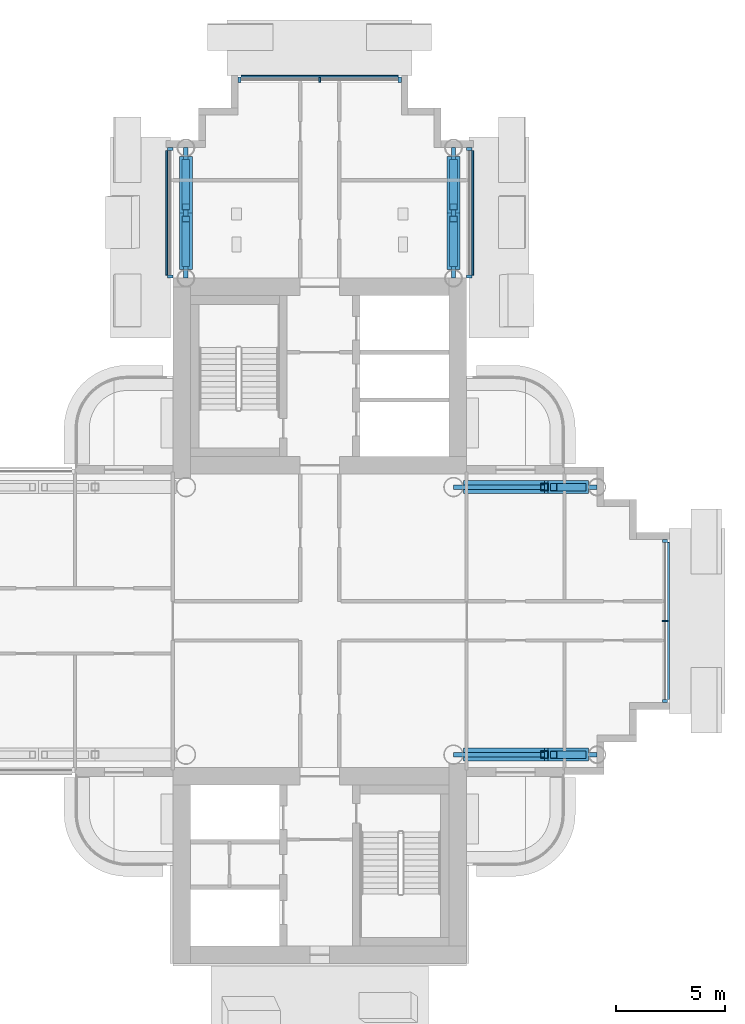
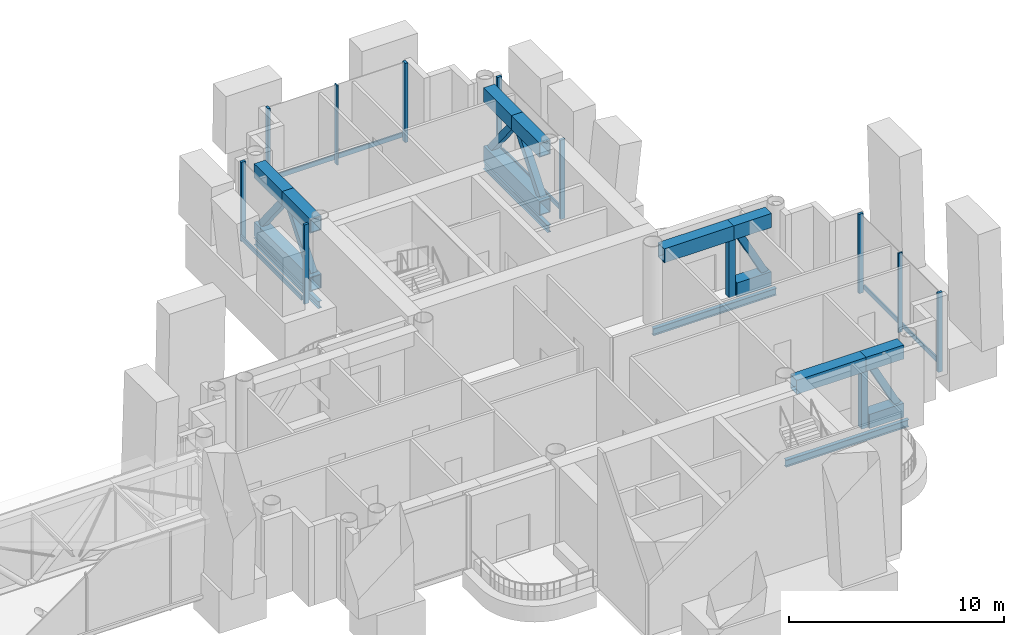
# One storey, part 8 of 26: 34 members, 4 beams, 4 elements without a shape of their own.
"""IFC4 building model written with IfcOpenShell, lengths in metres."""

from ifc_helpers import new_model, si_unit, direction, frame, origin, origin_2d, place, context, subcontext, project, spatial, rectangle, hollow_rectangle, i_section, extrude, material, layer, layer_set, material_profile, profile_set, type_object, element, aggregate, save


model = new_model("IFC4")

# Units and contexts
model_context = context("Model", 3, precision=1e-05, world=origin(), true_north=direction((0.0, 1.0)))
body_context = subcontext(model_context, "Body", "Model", "MODEL_VIEW")
ifc_project = project(units=[si_unit("LENGTHUNIT", "METRE"), si_unit("AREAUNIT", "SQUARE_METRE"), si_unit("VOLUMEUNIT", "CUBIC_METRE"), si_unit("PLANEANGLEUNIT", "RADIAN"), si_unit("MASSUNIT", "GRAM", prefix="KILO")], contexts=[model_context])

# Site, building, storey
site_placement = place(None, origin())
site = spatial("IfcSite", under=ifc_project, at=site_placement, CompositionType="ELEMENT")
building_placement = place(site_placement, origin())
building = spatial("IfcBuilding", under=site, at=building_placement, Name="Ipe Terrace Towers", CompositionType="ELEMENT")
storey_placement = place(building_placement, frame((0.0, 0.0, 181.300048828125)))
storey = spatial("IfcBuildingStorey", under=building, at=storey_placement, Name="L50", CompositionType="ELEMENT", Elevation=181.300048828125)

# Beams
ifc_material_1 = material(Name="Steel S355", Category="steel")
ifc_material_profile_1 = material_profile(ifc_material_1, i_section(OverallWidth=0.199951171875, OverallDepth=0.39990234375, WebThickness=0.008056640625, FlangeThickness=0.012939453125, at=origin_2d()), Name="H-400x200x8x13")
ifc_profile_set_1 = profile_set([ifc_material_profile_1], Name="Steel S355")
beam_type = type_object("IfcBeamType", Name="H06 EDGE BEAM H-400x200x8x13", PredefinedType="BEAM", material=ifc_profile_set_1)
for number, where, z_axis, x_axis, name in (
    (1, (42.14990234375, 15.75, -0.60009765625), (0.0, 1.0, 0.0), (-1.0, 0.0, 0.0), "Edge beam T2-EB-A01-A03"),
    (2, (29.85009765625, 15.75, -0.60009765625), (0.0, 1.0, 0.0), (-1.0, 0.0, 0.0), "Edge beam T2-EB-A02-A04"),
):
    element("IfcBeam", number, at=place(storey_placement, frame(where, z_axis=z_axis, x_axis=x_axis)), inside=storey, type_object=beam_type, Name=name, PredefinedType="BEAM", context=body_context, shape_type="SweptSolid", body=[
        extrude(i_section(OverallWidth=0.199951171875, OverallDepth=0.39990234375, WebThickness=0.008056640625, FlangeThickness=0.012939453125, at=origin_2d()), origin(), (0.0, 0.0, 1.0), 6.0),
    ])
for number, where, z_axis, x_axis, name in (
    (3, (48.75, -6.14990234375, -0.60009765625), (-1.0, 0.0, 0.0), (0.0, -1.0, 0.0), "Edge beam T2-EB-D01-E01"),
    (4, (48.75, 6.14990234375, -0.60009765625), (-1.0, 0.0, 0.0), (0.0, -1.0, 0.0), "Edge beam T2-EB-D02-E02"),
):
    element("IfcBeam", number, at=place(storey_placement, frame(where, z_axis=z_axis, x_axis=x_axis)), inside=storey, type_object=beam_type, Name=name, PredefinedType="BEAM", context=body_context, shape_type="SweptSolid", body=[
        extrude(i_section(OverallWidth=0.199951171875, OverallDepth=0.39990234375, WebThickness=0.008056640625, FlangeThickness=0.012939453125, at=origin_2d()), origin(), (0.0, 0.0, 1.0), 6.60009765625),
    ])

# Members
ifc_material_2 = material(Name="Steel S355", Category="steel")
ifc_material_profile_2 = material_profile(ifc_material_2, hollow_rectangle(XDim=0.35009765625, YDim=0.35009765625, WallThickness=0.02001953125, at=origin_2d()), Name="OUTRIGGER-BRACE BOX 350x350x20")
ifc_profile_set_2 = profile_set([ifc_material_profile_2], Name="Steel S355")
member_type_1 = type_object("IfcMemberType", Name="OUTRIGGER-BRACE BOX 350x350x20", PredefinedType="BRACE", material=ifc_profile_set_2)
for number, where, z_axis, x_axis, name in (
    (5, (29.85009765625, 16.431884765625, 0.780029296875), (0.0, 0.62546299245, 0.780253833746), (-1.0, 0.0, 0.0), "T2-OR-L50-256 diagonal"),
    (6, (29.85009765625, 21.068115234375, 0.780029296875), (0.0, -0.62546299245, 0.780253833746), (1.0, 0.0, 0.0), "T2-OR-L50-257 diagonal"),
    (7, (42.14990234375, 16.431884765625, 0.780029296875), (0.0, 0.62546299245, 0.780253833746), (-1.0, 0.0, 0.0), "T2-OR-L50-261 diagonal"),
    (8, (42.14990234375, 21.068115234375, 0.780029296875), (0.0, -0.62546299245, 0.780253833746), (1.0, 0.0, 0.0), "T2-OR-L50-262 diagonal"),
):
    element("IfcMember", number, at=place(storey_placement, frame(where, z_axis=z_axis, x_axis=x_axis)), inside=storey, type_object=member_type_1, Name=name, PredefinedType="BRACE", context=body_context, shape_type="SweptSolid", body=[
        extrude(hollow_rectangle(XDim=0.35009765625, YDim=0.35009765625, WallThickness=0.02001953125, at=origin_2d()), origin(), (0.0, 0.0, 1.0), 3.25537109375),
    ])
for number, where, z_axis, x_axis, name in (
    (9, (48.094970703125, 6.14990234375, 0.780029296875), (-0.466625633815, 0.0, 0.884454926984), (0.0, -1.0, 0.0), "T2-OR-L50-280 diagonal"),
    (10, (48.094970703125, -6.14990234375, 0.780029296875), (-0.466625633815, 0.0, 0.884454926984), (0.0, -1.0, 0.0), "T2-OR-L50-285 diagonal"),
):
    element("IfcMember", number, at=place(storey_placement, frame(where, z_axis=z_axis, x_axis=x_axis)), inside=storey, type_object=member_type_1, Name=name, PredefinedType="BRACE", context=body_context, shape_type="SweptSolid", body=[
        extrude(hollow_rectangle(XDim=0.35009765625, YDim=0.35009765625, WallThickness=0.02001953125, at=origin_2d()), origin(), (0.0, 0.0, 1.0), 2.871826171875),
    ])
ifc_material_3 = material(Name="Steel S355", Category="steel")
ifc_material_profile_3 = material_profile(ifc_material_3, hollow_rectangle(XDim=0.60009765625, YDim=0.800048828125, WallThickness=0.0400390625, at=origin_2d()), Name="OUTRIGGER-CHORD BOX 600x800x40")
ifc_profile_set_3 = profile_set([ifc_material_profile_3], Name="Steel S355")
member_type_2 = type_object("IfcMemberType", Name="OUTRIGGER-CHORD BOX 600x800x40", PredefinedType="CHORD", material=ifc_profile_set_3)
member_1_placement = place(storey_placement, frame((29.85009765625, 16.14990234375, 0.39990234375), z_axis=(0.0, 1.0, 0.0), x_axis=(-1.0, 0.0, 0.0)))
element("IfcMember", 11, at=member_1_placement, inside=storey, type_object=member_type_2, Name="T2-OR-L50-255 bottom chord", PredefinedType="CHORD", context=body_context, shape_type="SweptSolid", body=[
    extrude(hollow_rectangle(XDim=0.60009765625, YDim=0.800048828125, WallThickness=0.0400390625, at=origin_2d()), origin(), (0.0, 0.0, 1.0), 5.2001953125),
])
for number, where, z_axis, x_axis, name in (
    (12, (29.85009765625, 16.14990234375, 3.699951171875), (0.0, 1.0, 0.0), (-1.0, 0.0, 0.0), "T2-OR-L50-258 top chord"),
    (13, (29.85009765625, 18.75, 3.699951171875), (0.0, 1.0, 0.0), (-1.0, 0.0, 0.0), "T2-OR-L50-259 top chord"),
):
    element("IfcMember", number, at=place(storey_placement, frame(where, z_axis=z_axis, x_axis=x_axis)), inside=storey, type_object=member_type_2, Name=name, PredefinedType="CHORD", context=body_context, shape_type="SweptSolid", body=[
        extrude(hollow_rectangle(XDim=0.60009765625, YDim=0.800048828125, WallThickness=0.0400390625, at=origin_2d()), origin(), (0.0, 0.0, 1.0), 2.60009765625),
    ])
member_2_placement = place(storey_placement, frame((42.14990234375, 16.14990234375, 0.39990234375), z_axis=(0.0, 1.0, 0.0), x_axis=(-1.0, 0.0, 0.0)))
element("IfcMember", 14, at=member_2_placement, inside=storey, type_object=member_type_2, Name="T2-OR-L50-260 bottom chord", PredefinedType="CHORD", context=body_context, shape_type="SweptSolid", body=[
    extrude(hollow_rectangle(XDim=0.60009765625, YDim=0.800048828125, WallThickness=0.0400390625, at=origin_2d()), origin(), (0.0, 0.0, 1.0), 5.2001953125),
])
for number, where, z_axis, x_axis, name in (
    (15, (42.14990234375, 16.14990234375, 3.699951171875), (0.0, 1.0, 0.0), (-1.0, 0.0, 0.0), "T2-OR-L50-263 top chord"),
    (16, (42.14990234375, 18.75, 3.699951171875), (0.0, 1.0, 0.0), (-1.0, 0.0, 0.0), "T2-OR-L50-264 top chord"),
):
    element("IfcMember", number, at=place(storey_placement, frame(where, z_axis=z_axis, x_axis=x_axis)), inside=storey, type_object=member_type_2, Name=name, PredefinedType="CHORD", context=body_context, shape_type="SweptSolid", body=[
        extrude(hollow_rectangle(XDim=0.60009765625, YDim=0.800048828125, WallThickness=0.0400390625, at=origin_2d()), origin(), (0.0, 0.0, 1.0), 2.60009765625),
    ])
member_3_placement = place(storey_placement, frame((46.5, 6.14990234375, 0.39990234375), z_axis=(1.0, 0.0, 0.0), x_axis=(0.0, 1.0, 0.0)))
element("IfcMember", 17, at=member_3_placement, inside=storey, type_object=member_type_2, Name="T2-OR-L50-279 bottom chord", PredefinedType="CHORD", context=body_context, shape_type="SweptSolid", body=[
    extrude(hollow_rectangle(XDim=0.60009765625, YDim=0.800048828125, WallThickness=0.0400390625, at=origin_2d()), origin(), (0.0, 0.0, 1.0), 1.85009765625),
])
member_4_placement = place(storey_placement, frame((42.60009765625, 6.14990234375, 3.699951171875), z_axis=(1.0, 0.0, 0.0), x_axis=(0.0, 1.0, 0.0)))
element("IfcMember", 18, at=member_4_placement, inside=storey, type_object=member_type_2, Name="T2-OR-L50-282 top chord", PredefinedType="CHORD", context=body_context, shape_type="SweptSolid", body=[
    extrude(hollow_rectangle(XDim=0.60009765625, YDim=0.800048828125, WallThickness=0.0400390625, at=origin_2d()), origin(), (0.0, 0.0, 1.0), 3.724853515625),
])
member_5_placement = place(storey_placement, frame((46.324951171875, 6.14990234375, 3.699951171875), z_axis=(1.0, 0.0, 0.0), x_axis=(0.0, 1.0, 0.0)))
element("IfcMember", 19, at=member_5_placement, inside=storey, type_object=member_type_2, Name="T2-OR-L50-283 top chord", PredefinedType="CHORD", context=body_context, shape_type="SweptSolid", body=[
    extrude(hollow_rectangle(XDim=0.60009765625, YDim=0.800048828125, WallThickness=0.0400390625, at=origin_2d()), origin(), (0.0, 0.0, 1.0), 2.025146484375),
])
member_6_placement = place(storey_placement, frame((46.5, -6.14990234375, 0.39990234375), z_axis=(1.0, 0.0, 0.0), x_axis=(0.0, 1.0, 0.0)))
element("IfcMember", 20, at=member_6_placement, inside=storey, type_object=member_type_2, Name="T2-OR-L50-284 bottom chord", PredefinedType="CHORD", context=body_context, shape_type="SweptSolid", body=[
    extrude(hollow_rectangle(XDim=0.60009765625, YDim=0.800048828125, WallThickness=0.0400390625, at=origin_2d()), origin(), (0.0, 0.0, 1.0), 1.85009765625),
])
member_7_placement = place(storey_placement, frame((42.60009765625, -6.14990234375, 3.699951171875), z_axis=(1.0, 0.0, 0.0), x_axis=(0.0, 1.0, 0.0)))
element("IfcMember", 21, at=member_7_placement, inside=storey, type_object=member_type_2, Name="T2-OR-L50-287 top chord", PredefinedType="CHORD", context=body_context, shape_type="SweptSolid", body=[
    extrude(hollow_rectangle(XDim=0.60009765625, YDim=0.800048828125, WallThickness=0.0400390625, at=origin_2d()), origin(), (0.0, 0.0, 1.0), 3.724853515625),
])
member_8_placement = place(storey_placement, frame((46.324951171875, -6.14990234375, 3.699951171875), z_axis=(1.0, 0.0, 0.0), x_axis=(0.0, 1.0, 0.0)))
element("IfcMember", 22, at=member_8_placement, inside=storey, type_object=member_type_2, Name="T2-OR-L50-288 top chord", PredefinedType="CHORD", context=body_context, shape_type="SweptSolid", body=[
    extrude(hollow_rectangle(XDim=0.60009765625, YDim=0.800048828125, WallThickness=0.0400390625, at=origin_2d()), origin(), (0.0, 0.0, 1.0), 2.025146484375),
])
ifc_material_4 = material(Name="Steel S355", Category="steel")
ifc_material_profile_4 = material_profile(ifc_material_4, hollow_rectangle(XDim=0.35009765625, YDim=0.35009765625, WallThickness=0.02001953125, at=origin_2d()), Name="OUTRIGGER-POST BOX 350x350x20")
ifc_profile_set_4 = profile_set([ifc_material_profile_4], Name="Steel S355")
member_type_3 = type_object("IfcMemberType", Name="OUTRIGGER-POST BOX 350x350x20", PredefinedType="POST", material=ifc_profile_set_4)
for number, where, z_axis, x_axis, name in (
    (23, (46.324951171875, 6.14990234375, 0.0), (0.0, 0.0, 1.0), (1.0, 0.0, 0.0), "T2-OR-L50-281 post"),
    (24, (46.324951171875, -6.14990234375, 0.0), (0.0, 0.0, 1.0), (1.0, 0.0, 0.0), "T2-OR-L50-286 post"),
):
    element("IfcMember", number, at=place(storey_placement, frame(where, z_axis=z_axis, x_axis=x_axis)), inside=storey, type_object=member_type_3, Name=name, PredefinedType="POST", context=body_context, shape_type="SweptSolid", body=[
        extrude(hollow_rectangle(XDim=0.35009765625, YDim=0.35009765625, WallThickness=0.02001953125, at=origin_2d()), origin(), (0.0, 0.0, 1.0), 3.300048828125),
    ])

# Curtain wall, members
ifc_material_5 = material(Name="Aluminium alloy 6063-T6", Category="aluminium")
ifc_layer = layer(ifc_material_5, 0.320068359375)
ifc_layer_set = layer_set([ifc_layer], Name="REFUGE FLOOR CURTAIN WALL")
curtain_wall_type = type_object("IfcCurtainWallType", Name="REFUGE FLOOR CURTAIN WALL", PredefinedType="NOTDEFINED", material=ifc_layer_set)
curtain_wall_1_placement = place(storey_placement, origin())
curtain_wall_1 = element("IfcCurtainWall", 25, at=curtain_wall_1_placement, inside=storey, type_object=curtain_wall_type, Name="T2-CW-L50-08a curtain wall", PredefinedType="NOTDEFINED")
ifc_material_6 = material(Name="Aluminium alloy 6063-T6", Category="aluminium")
ifc_material_profile_5 = material_profile(ifc_material_6, rectangle(XDim=0.239990234375, YDim=0.139892578125, at=origin_2d()), Name="REFUGE FLOOR CORNER MULLION 240 x 140")
ifc_profile_set_5 = profile_set([ifc_material_profile_5], Name="Aluminium alloy 6063-T6")
member_type_4 = type_object("IfcMemberType", Name="REFUGE FLOOR CORNER MULLION 240 x 140", PredefinedType="MULLION", material=ifc_profile_set_5)
member_9_placement = place(storey_placement, frame((51.8701171875, -3.679931640625, -0.300048828125), z_axis=(0.0, 0.0, 1.0), x_axis=(1.0, 0.0, 0.0)))
member_9 = element("IfcMember", 26, at=member_9_placement, type_object=member_type_4, Name="T2-CW-L50-08a mullion 1", PredefinedType="MULLION", context=body_context, shape_type="SweptSolid", body=[
    extrude(rectangle(XDim=0.239990234375, YDim=0.139892578125, at=origin_2d()), origin(), (0.0, 0.0, 1.0), 4.5),
])
member_10_placement = place(storey_placement, frame((51.8701171875, 3.679931640625, -0.300048828125), z_axis=(0.0, 0.0, 1.0), x_axis=(1.0, 0.0, 0.0)))
member_10 = element("IfcMember", 27, at=member_10_placement, type_object=member_type_4, Name="T2-CW-L50-08a mullion 3", PredefinedType="MULLION", context=body_context, shape_type="SweptSolid", body=[
    extrude(rectangle(XDim=0.239990234375, YDim=0.139892578125, at=origin_2d()), origin(), (0.0, 0.0, 1.0), 4.5),
])

curtain_wall_2_placement = place(storey_placement, origin())
curtain_wall_2 = element("IfcCurtainWall", 28, at=curtain_wall_2_placement, inside=storey, type_object=curtain_wall_type, Name="T2-CW-L50-16b curtain wall", PredefinedType="NOTDEFINED")
member_11_placement = place(storey_placement, frame((42.8701171875, 15.821044921875, -0.300048828125), z_axis=(0.0, 0.0, 1.0), x_axis=(1.0, 0.0, 0.0)))
member_11 = element("IfcMember", 29, at=member_11_placement, type_object=member_type_4, Name="T2-CW-L50-16b mullion 1", PredefinedType="MULLION", context=body_context, shape_type="SweptSolid", body=[
    extrude(rectangle(XDim=0.239990234375, YDim=0.139892578125, at=origin_2d()), origin(), (0.0, 0.0, 1.0), 4.5),
])
member_12_placement = place(storey_placement, frame((42.8701171875, 21.679931640625, -0.300048828125), z_axis=(0.0, 0.0, 1.0), x_axis=(1.0, 0.0, 0.0)))
member_12 = element("IfcMember", 30, at=member_12_placement, type_object=member_type_4, Name="T2-CW-L50-16b mullion 2", PredefinedType="MULLION", context=body_context, shape_type="SweptSolid", body=[
    extrude(rectangle(XDim=0.239990234375, YDim=0.139892578125, at=origin_2d()), origin(), (0.0, 0.0, 1.0), 4.5),
])

curtain_wall_3_placement = place(storey_placement, origin())
curtain_wall_3 = element("IfcCurtainWall", 31, at=curtain_wall_3_placement, inside=storey, type_object=curtain_wall_type, Name="T2-CW-L50-21a curtain wall", PredefinedType="NOTDEFINED")
member_13_placement = place(storey_placement, frame((39.679931640625, 24.8701171875, -0.300048828125), z_axis=(0.0, 0.0, 1.0), x_axis=(0.0, 1.0, 0.0)))
member_13 = element("IfcMember", 32, at=member_13_placement, type_object=member_type_4, Name="T2-CW-L50-21a mullion 1", PredefinedType="MULLION", context=body_context, shape_type="SweptSolid", body=[
    extrude(rectangle(XDim=0.239990234375, YDim=0.139892578125, at=origin_2d()), origin(), (0.0, 0.0, 1.0), 4.5),
])
member_14_placement = place(storey_placement, frame((32.320068359375, 24.8701171875, -0.300048828125), z_axis=(0.0, 0.0, 1.0), x_axis=(0.0, 1.0, 0.0)))
member_14 = element("IfcMember", 33, at=member_14_placement, type_object=member_type_4, Name="T2-CW-L50-21a mullion 3", PredefinedType="MULLION", context=body_context, shape_type="SweptSolid", body=[
    extrude(rectangle(XDim=0.239990234375, YDim=0.139892578125, at=origin_2d()), origin(), (0.0, 0.0, 1.0), 4.5),
])

curtain_wall_4_placement = place(storey_placement, origin())
curtain_wall_4 = element("IfcCurtainWall", 34, at=curtain_wall_4_placement, inside=storey, type_object=curtain_wall_type, Name="T2-CW-L50-26a curtain wall", PredefinedType="NOTDEFINED")
member_15_placement = place(storey_placement, frame((29.1298828125, 21.679931640625, -0.300048828125), z_axis=(0.0, 0.0, 1.0), x_axis=(-1.0, 0.0, 0.0)))
member_15 = element("IfcMember", 35, at=member_15_placement, type_object=member_type_4, Name="T2-CW-L50-26a mullion 1", PredefinedType="MULLION", context=body_context, shape_type="SweptSolid", body=[
    extrude(rectangle(XDim=0.239990234375, YDim=0.139892578125, at=origin_2d()), origin(), (0.0, 0.0, 1.0), 4.5),
])
member_16_placement = place(storey_placement, frame((29.1298828125, 15.821044921875, -0.300048828125), z_axis=(0.0, 0.0, 1.0), x_axis=(-1.0, 0.0, 0.0)))
member_16 = element("IfcMember", 36, at=member_16_placement, type_object=member_type_4, Name="T2-CW-L50-26a mullion 2", PredefinedType="MULLION", context=body_context, shape_type="SweptSolid", body=[
    extrude(rectangle(XDim=0.239990234375, YDim=0.139892578125, at=origin_2d()), origin(), (0.0, 0.0, 1.0), 4.5),
])

# Member
ifc_material_7 = material(Name="Aluminium alloy 6063-T6", Category="aluminium")
ifc_material_profile_6 = material_profile(ifc_material_7, rectangle(XDim=0.239990234375, YDim=0.074951171875, at=origin_2d()), Name="REFUGE FLOOR MULLION 240 x 75")
ifc_profile_set_6 = profile_set([ifc_material_profile_6], Name="Aluminium alloy 6063-T6")
member_type_5 = type_object("IfcMemberType", Name="REFUGE FLOOR MULLION 240 x 75", PredefinedType="MULLION", material=ifc_profile_set_6)
member_17_placement = place(storey_placement, frame((51.8701171875, 0.0, -0.300048828125), z_axis=(0.0, 0.0, 1.0), x_axis=(1.0, 0.0, 0.0)))
member_17 = element("IfcMember", 37, at=member_17_placement, type_object=member_type_5, Name="T2-CW-L50-08a mullion 2", PredefinedType="MULLION", context=body_context, shape_type="SweptSolid", body=[
    extrude(rectangle(XDim=0.239990234375, YDim=0.074951171875, at=origin_2d()), origin(), (0.0, 0.0, 1.0), 4.5),
])

member_18_placement = place(storey_placement, frame((36.0, 24.8701171875, -0.300048828125), z_axis=(0.0, 0.0, 1.0), x_axis=(0.0, 1.0, 0.0)))
member_18 = element("IfcMember", 38, at=member_18_placement, type_object=member_type_5, Name="T2-CW-L50-21a mullion 2", PredefinedType="MULLION", context=body_context, shape_type="SweptSolid", body=[
    extrude(rectangle(XDim=0.239990234375, YDim=0.074951171875, at=origin_2d()), origin(), (0.0, 0.0, 1.0), 4.5),
])

ifc_material_8 = material(Name="Aluminium alloy 6063-T6", Category="aluminium")
ifc_material_profile_7 = material_profile(ifc_material_8, rectangle(XDim=0.080078125, YDim=0.260009765625, at=origin_2d()), Name="REFUGE FLOOR TRANSOM 80 x 260")
ifc_profile_set_7 = profile_set([ifc_material_profile_7], Name="Aluminium alloy 6063-T6")
member_type_6 = type_object("IfcMemberType", Name="REFUGE FLOOR TRANSOM 80 x 260", PredefinedType="USERDEFINED", material=ifc_profile_set_7)
member_19_placement = place(storey_placement, frame((52.030029296875, -3.610107421875, 0.0), z_axis=(0.0, 1.0, 0.0), x_axis=(1.0, 0.0, 0.0)))
member_19 = element("IfcMember", 39, at=member_19_placement, type_object=member_type_6, Name="T2-CW-L50-08a transom", ObjectType="TRANSOM", PredefinedType="USERDEFINED", context=body_context, shape_type="SweptSolid", body=[
    extrude(rectangle(XDim=0.080078125, YDim=0.260009765625, at=origin_2d()), origin(), (0.0, 0.0, 1.0), 7.22021484375),
])

aggregate(curtain_wall_1, [member_9, member_17, member_10, member_19])

member_20_placement = place(storey_placement, frame((43.030029296875, 15.89111328125, 0.0), z_axis=(0.0, 1.0, 0.0), x_axis=(1.0, 0.0, 0.0)))
member_20 = element("IfcMember", 40, at=member_20_placement, type_object=member_type_6, Name="T2-CW-L50-16b transom", ObjectType="TRANSOM", PredefinedType="USERDEFINED", context=body_context, shape_type="SweptSolid", body=[
    extrude(rectangle(XDim=0.080078125, YDim=0.260009765625, at=origin_2d()), origin(), (0.0, 0.0, 1.0), 5.718994140625),
])

aggregate(curtain_wall_2, [member_11, member_12, member_20])

member_21_placement = place(storey_placement, frame((39.610107421875, 25.030029296875, 0.0), z_axis=(-1.0, 0.0, 0.0), x_axis=(0.0, 1.0, 0.0)))
member_21 = element("IfcMember", 41, at=member_21_placement, type_object=member_type_6, Name="T2-CW-L50-21a transom", ObjectType="TRANSOM", PredefinedType="USERDEFINED", context=body_context, shape_type="SweptSolid", body=[
    extrude(rectangle(XDim=0.080078125, YDim=0.260009765625, at=origin_2d()), origin(), (0.0, 0.0, 1.0), 7.22021484375),
])

aggregate(curtain_wall_3, [member_13, member_18, member_14, member_21])

member_22_placement = place(storey_placement, frame((28.969970703125, 21.610107421875, 0.0), z_axis=(0.0, -1.0, 0.0), x_axis=(-1.0, 0.0, 0.0)))
member_22 = element("IfcMember", 42, at=member_22_placement, type_object=member_type_6, Name="T2-CW-L50-26a transom", ObjectType="TRANSOM", PredefinedType="USERDEFINED", context=body_context, shape_type="SweptSolid", body=[
    extrude(rectangle(XDim=0.080078125, YDim=0.260009765625, at=origin_2d()), origin(), (0.0, 0.0, 1.0), 5.718994140625),
])

aggregate(curtain_wall_4, [member_15, member_16, member_22])

save(model, "model.ifc")
